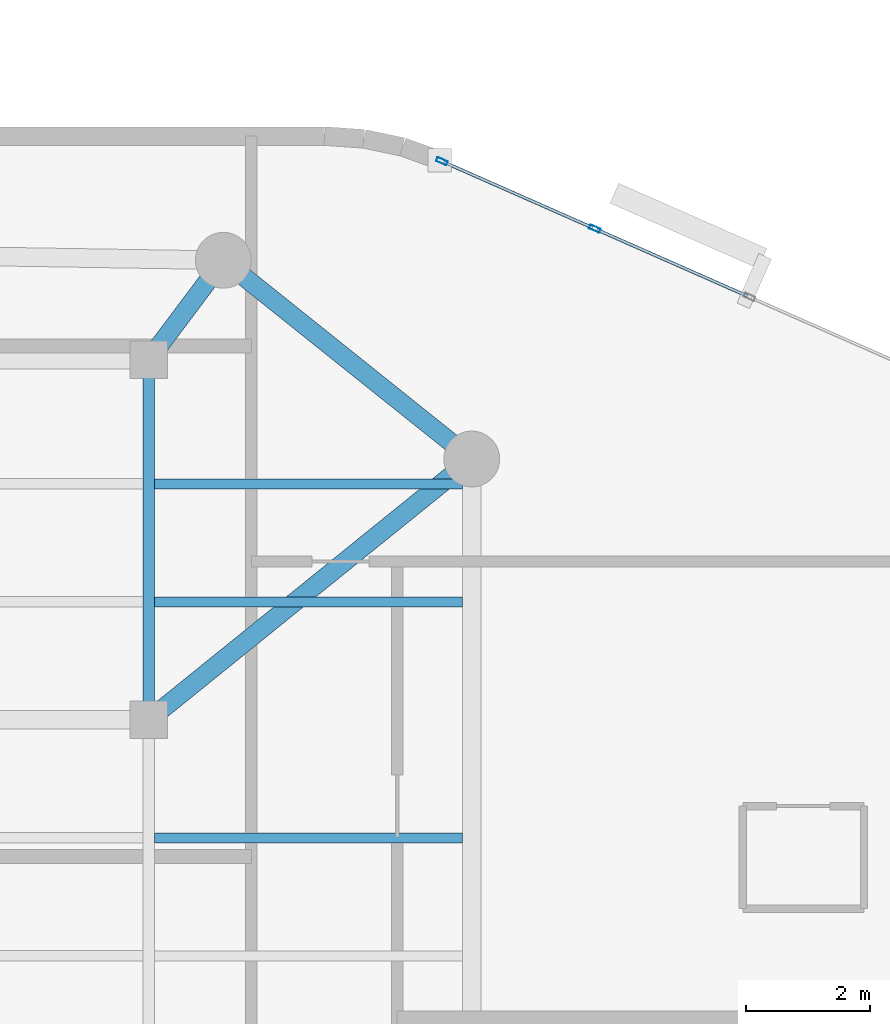
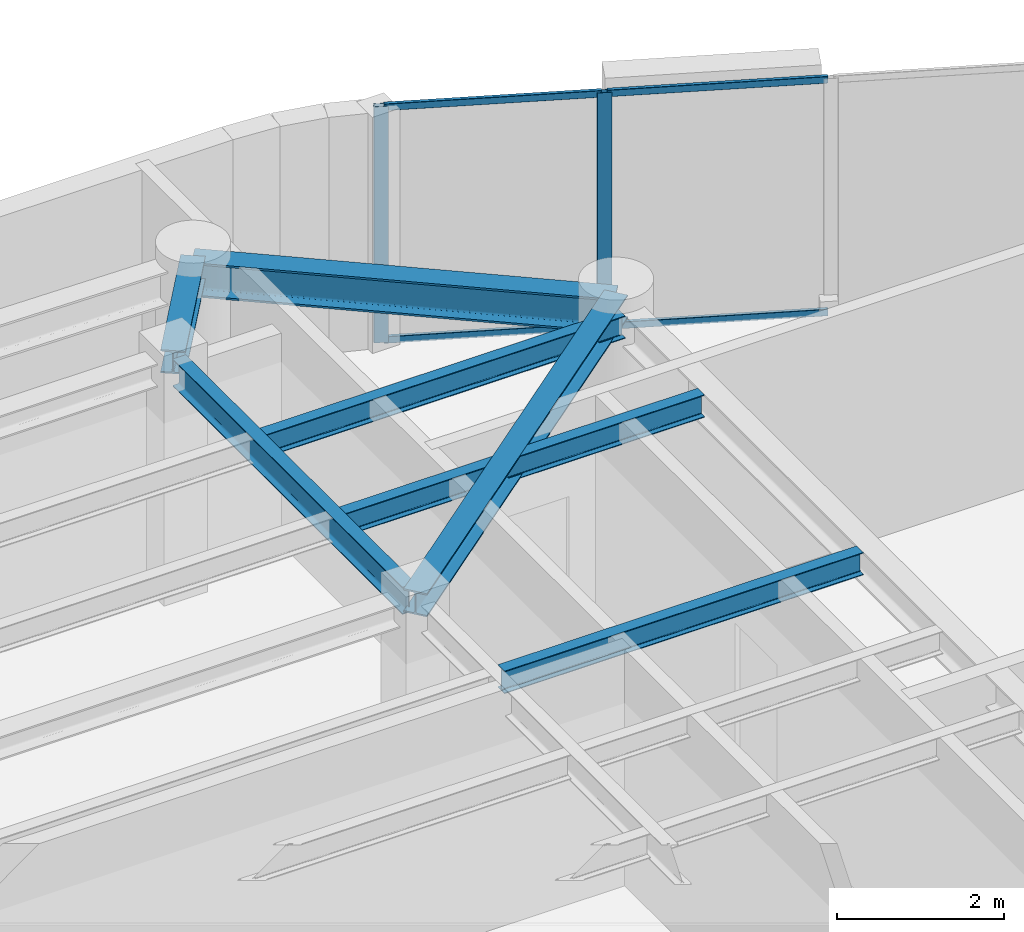
# One storey, part 5 of 12: 7 beams, 6 members, 1 element without a shape of its own.
"""IFC4 building model written with IfcOpenShell, lengths in metres."""

from ifc_helpers import new_model, si_unit, direction, frame, origin, origin_2d, place, context, subcontext, project, spatial, hollow_rectangle, i_section, extrude, material, layer, layer_set, material_profile, profile_set, type_object, element, aggregate, save


model = new_model("IFC4")

# Units and contexts
model_context = context("Model", 3, precision=1e-05, world=origin(), true_north=direction((0.0, 1.0)))
body_context = subcontext(model_context, "Body", "Model", "MODEL_VIEW")
ifc_project = project(units=[si_unit("LENGTHUNIT", "METRE"), si_unit("AREAUNIT", "SQUARE_METRE"), si_unit("VOLUMEUNIT", "CUBIC_METRE"), si_unit("PLANEANGLEUNIT", "RADIAN"), si_unit("MASSUNIT", "GRAM", prefix="KILO")], contexts=[model_context])

# Site, building, storey
site_placement = place(None, origin())
site = spatial("IfcSite", under=ifc_project, at=site_placement, CompositionType="ELEMENT")
building_placement = place(site_placement, origin())
building = spatial("IfcBuilding", under=site, at=building_placement, Name="An Khanh Terracotta Commons", CompositionType="ELEMENT")
storey_placement = place(building_placement, frame((0.0, 0.0, 258.800048828125)))
storey = spatial("IfcBuildingStorey", under=building, at=storey_placement, Name="L67", CompositionType="ELEMENT", Elevation=258.800048828125)

# Beams
ifc_material_1 = material(Name="Steel S355J2", Category="steel")
ifc_material_profile_1 = material_profile(ifc_material_1, i_section(OverallWidth=0.300048828125, OverallDepth=0.340087890625, WebThickness=0.011962890625, FlangeThickness=0.021484375, FilletRadius=0.027099609375, at=origin_2d()), Name="HEB340")
ifc_profile_set_1 = profile_set([ifc_material_profile_1], Name="Steel S355J2")
beam_type_1 = type_object("IfcBeamType", Name="BM-HEB340", PredefinedType="BEAM", material=ifc_profile_set_1)
beam_1_placement = place(storey_placement, frame((63.39990234375, 32.0, 3.280029296875), z_axis=(-0.777941866883, -0.628336256913, 0.0), x_axis=(0.628336256913, -0.777941866883, 0.0)))
element("IfcBeam", 1, at=beam_1_placement, inside=storey, type_object=beam_type_1, Name="L67 Mega-Column Tie Girder 4", PredefinedType="BEAM", context=body_context, shape_type="SweptSolid", body=[
    extrude(i_section(OverallWidth=0.300048828125, OverallDepth=0.340087890625, WebThickness=0.011962890625, FlangeThickness=0.021484375, FilletRadius=0.027099609375, at=origin_2d()), origin(), (0.0, 0.0, 1.0), 6.684326171875),
])
beam_2_placement = place(storey_placement, frame((59.39990234375, 35.199951171875, 3.280029296875), z_axis=(-0.600019532502, -0.799985350251, 0.0), x_axis=(0.799985350251, -0.600019532502, 0.0)))
element("IfcBeam", 2, at=beam_2_placement, inside=storey, type_object=beam_type_1, Name="L67 Mega-Column Tie Girder 5", PredefinedType="BEAM", context=body_context, shape_type="SweptSolid", body=[
    extrude(i_section(OverallWidth=0.300048828125, OverallDepth=0.340087890625, WebThickness=0.011962890625, FlangeThickness=0.021484375, FilletRadius=0.027099609375, at=origin_2d()), origin(), (0.0, 0.0, 1.0), 1.999755859375),
])
ifc_material_profile_2 = material_profile(ifc_material_1, i_section(OverallWidth=0.300048828125, OverallDepth=0.5, WebThickness=0.014404296875, FlangeThickness=0.028076171875, FilletRadius=0.027099609375, at=origin_2d()), Name="HEB500")
ifc_profile_set_2 = profile_set([ifc_material_profile_2], Name="Steel S355J2")
beam_type_2 = type_object("IfcBeamType", Name="BM-HEB500", PredefinedType="BEAM", material=ifc_profile_set_2)
beam_3_placement = place(storey_placement, frame((63.39990234375, 32.0, 3.199951171875), z_axis=(-0.780873459249, 0.624689235253, 0.0), x_axis=(-0.624689235253, -0.780873459249, 0.0)))
element("IfcBeam", 3, at=beam_3_placement, inside=storey, type_object=beam_type_2, Name="L67 Perimeter Ring Spandrel 4", PredefinedType="BEAM", context=body_context, shape_type="SweptSolid", body=[
    extrude(i_section(OverallWidth=0.300048828125, OverallDepth=0.5, WebThickness=0.014404296875, FlangeThickness=0.028076171875, FilletRadius=0.027099609375, at=origin_2d()), origin(), (0.0, 0.0, 1.0), 5.12255859375),
])
ifc_material_profile_3 = material_profile(ifc_material_1, i_section(OverallWidth=0.159912109375, OverallDepth=0.330078125, WebThickness=0.007568359375, FlangeThickness=0.011474609375, FilletRadius=0.01806640625, at=origin_2d()), Name="IPE330")
ifc_profile_set_3 = profile_set([ifc_material_profile_3], Name="Steel S355J2")
beam_type_3 = type_object("IfcBeamType", Name="BM-IPE330", PredefinedType="JOIST", material=ifc_profile_set_3)
for number, where, z_axis, x_axis, name in (
    (4, (58.2900390625, 25.89990234375, 3.284912109375), (1.0, 0.0, 0.0), (0.0, 1.0, 0.0), "L67 Riverfront Composite Joist 5"),
    (5, (58.2900390625, 29.699951171875, 3.284912109375), (1.0, 0.0, 0.0), (0.0, 1.0, 0.0), "L67 Riverfront Composite Joist 6"),
    (6, (58.2900390625, 31.60009765625, 3.284912109375), (1.0, 0.0, 0.0), (0.0, 1.0, 0.0), "L67 Riverfront Composite Joist 7"),
):
    element("IfcBeam", number, at=place(storey_placement, frame(where, z_axis=z_axis, x_axis=x_axis)), inside=storey, type_object=beam_type_3, Name=name, PredefinedType="JOIST", context=body_context, shape_type="SweptSolid", body=[
        extrude(i_section(OverallWidth=0.159912109375, OverallDepth=0.330078125, WebThickness=0.007568359375, FlangeThickness=0.011474609375, FilletRadius=0.01806640625, at=origin_2d()), origin(), (0.0, 0.0, 1.0), 4.9599609375),
    ])
ifc_material_profile_4 = material_profile(ifc_material_1, i_section(OverallWidth=0.179931640625, OverallDepth=0.39990234375, WebThickness=0.008544921875, FlangeThickness=0.013427734375, FilletRadius=0.02099609375, at=origin_2d()), Name="IPE400")
ifc_profile_set_4 = profile_set([ifc_material_profile_4], Name="Steel S355J2")
beam_type_4 = type_object("IfcBeamType", Name="BM-IPE400", PredefinedType="JOIST", material=ifc_profile_set_4)
beam_4_placement = place(storey_placement, frame((58.199951171875, 27.949951171875, 3.25), z_axis=(0.0, 1.0, 0.0), x_axis=(-1.0, 0.0, 0.0)))
element("IfcBeam", 7, at=beam_4_placement, inside=storey, type_object=beam_type_4, Name="L67 East Spine Girder 3", PredefinedType="JOIST", context=body_context, shape_type="SweptSolid", body=[
    extrude(i_section(OverallWidth=0.179931640625, OverallDepth=0.39990234375, WebThickness=0.008544921875, FlangeThickness=0.013427734375, FilletRadius=0.02099609375, at=origin_2d()), origin(), (0.0, 0.0, 1.0), 5.5),
])

# Curtain wall, members
ifc_material_2 = material(Name="Anodised Aluminium 6063-T6", Category="aluminium")
ifc_layer = layer(ifc_material_2, 0.2099609375, Name="Anodised Aluminium 6063-T6")
ifc_layer_set = layer_set([ifc_layer], Name="Anodised Aluminium 6063-T6")
curtain_wall_type = type_object("IfcCurtainWallType", Name="CW-SYS-03", PredefinedType="USERDEFINED", material=ifc_layer_set)
curtain_wall_placement = place(storey_placement, origin())
curtain_wall = element("IfcCurtainWall", 8, at=curtain_wall_placement, inside=storey, type_object=curtain_wall_type, Name="L67 CW-03 Unitised Curtain Wall CW-L67-16", ObjectType="UNITISED CURTAIN WALL", PredefinedType="USERDEFINED")
ifc_material_profile_5 = material_profile(ifc_material_2, hollow_rectangle(XDim=0.070068359375, YDim=0.179931640625, WallThickness=0.00390625, InnerFilletRadius=0.00390625, OuterFilletRadius=0.008056640625, at=origin_2d()), Name="RHS180x70x4")
ifc_profile_set_5 = profile_set([ifc_material_profile_5], Name="Anodised Aluminium 6063-T6")
member_type_1 = type_object("IfcMemberType", Name="CWM-RHS180x70x4", PredefinedType="MULLION", material=ifc_profile_set_5)
member_1_placement = place(storey_placement, frame((65.37939453125, 35.709228515625, 0.0), z_axis=(0.0, 0.0, 1.0), x_axis=(-0.403676354285, -0.914901853201, 0.0)))
member_1 = element("IfcMember", 9, at=member_1_placement, type_object=member_type_1, Name="CW-03 mullion 4", PredefinedType="MULLION", context=body_context, shape_type="SweptSolid", body=[
    extrude(hollow_rectangle(XDim=0.070068359375, YDim=0.179931640625, WallThickness=0.00390625, InnerFilletRadius=0.00390625, OuterFilletRadius=0.008056640625, at=origin_2d()), origin(), (0.0, 0.0, 1.0), 3.449951171875),
])
member_2_placement = place(storey_placement, frame((62.9189453125, 36.794921875, 0.0), z_axis=(0.0, 0.0, 1.0), x_axis=(-0.403676354285, -0.914901853201, 0.0)))
member_2 = element("IfcMember", 10, at=member_2_placement, type_object=member_type_1, Name="CW-03 mullion 5", PredefinedType="MULLION", context=body_context, shape_type="SweptSolid", body=[
    extrude(hollow_rectangle(XDim=0.070068359375, YDim=0.179931640625, WallThickness=0.00390625, InnerFilletRadius=0.00390625, OuterFilletRadius=0.008056640625, at=origin_2d()), origin(), (0.0, 0.0, 1.0), 3.449951171875),
])
ifc_material_profile_6 = material_profile(ifc_material_2, hollow_rectangle(XDim=0.050048828125, YDim=0.10009765625, WallThickness=0.003173828125, InnerFilletRadius=0.003173828125, OuterFilletRadius=0.00634765625, at=origin_2d()), Name="RHS100x50x3.2")
ifc_profile_set_6 = profile_set([ifc_material_profile_6], Name="Anodised Aluminium 6063-T6")
member_type_2 = type_object("IfcMemberType", Name="CWT-RHS100x50x3.2", PredefinedType="USERDEFINED", material=ifc_profile_set_6)
member_3_placement = place(storey_placement, frame((67.840087890625, 34.62353515625, 0.02490234375), z_axis=(-0.914896820753, 0.403687759755, 0.0), x_axis=(-0.403687759755, -0.914896820753, 0.0)))
member_3 = element("IfcMember", 11, at=member_3_placement, type_object=member_type_2, Name="CW-03 transom 3.1", ObjectType="TRANSOM", PredefinedType="USERDEFINED", context=body_context, shape_type="SweptSolid", body=[
    extrude(hollow_rectangle(XDim=0.050048828125, YDim=0.10009765625, WallThickness=0.003173828125, InnerFilletRadius=0.003173828125, OuterFilletRadius=0.00634765625, at=origin_2d()), origin(), (0.0, 0.0, 1.0), 2.654296875),
])
member_4_placement = place(storey_placement, frame((67.840087890625, 34.62353515625, 3.425048828125), z_axis=(-0.914896820753, 0.403687759755, 0.0), x_axis=(-0.403687759755, -0.914896820753, 0.0)))
member_4 = element("IfcMember", 12, at=member_4_placement, type_object=member_type_2, Name="CW-03 transom 3.2", ObjectType="TRANSOM", PredefinedType="USERDEFINED", context=body_context, shape_type="SweptSolid", body=[
    extrude(hollow_rectangle(XDim=0.050048828125, YDim=0.10009765625, WallThickness=0.003173828125, InnerFilletRadius=0.003173828125, OuterFilletRadius=0.00634765625, at=origin_2d()), origin(), (0.0, 0.0, 1.0), 2.654296875),
])
member_5_placement = place(storey_placement, frame((65.347412109375, 35.723388671875, 0.02490234375), z_axis=(-0.914903627858, 0.403672332137, 0.0), x_axis=(-0.403672332137, -0.914903627858, 0.0)))
member_5 = element("IfcMember", 13, at=member_5_placement, type_object=member_type_2, Name="CW-03 transom 4.1", ObjectType="TRANSOM", PredefinedType="USERDEFINED", context=body_context, shape_type="SweptSolid", body=[
    extrude(hollow_rectangle(XDim=0.050048828125, YDim=0.10009765625, WallThickness=0.003173828125, InnerFilletRadius=0.003173828125, OuterFilletRadius=0.00634765625, at=origin_2d()), origin(), (0.0, 0.0, 1.0), 2.619384765625),
])
member_6_placement = place(storey_placement, frame((65.347412109375, 35.723388671875, 3.425048828125), z_axis=(-0.914903627858, 0.403672332137, 0.0), x_axis=(-0.403672332137, -0.914903627858, 0.0)))
member_6 = element("IfcMember", 14, at=member_6_placement, type_object=member_type_2, Name="CW-03 transom 4.2", ObjectType="TRANSOM", PredefinedType="USERDEFINED", context=body_context, shape_type="SweptSolid", body=[
    extrude(hollow_rectangle(XDim=0.050048828125, YDim=0.10009765625, WallThickness=0.003173828125, InnerFilletRadius=0.003173828125, OuterFilletRadius=0.00634765625, at=origin_2d()), origin(), (0.0, 0.0, 1.0), 2.619384765625),
])
aggregate(curtain_wall, [member_1, member_2, member_3, member_4, member_5, member_6])

save(model, "model.ifc")
